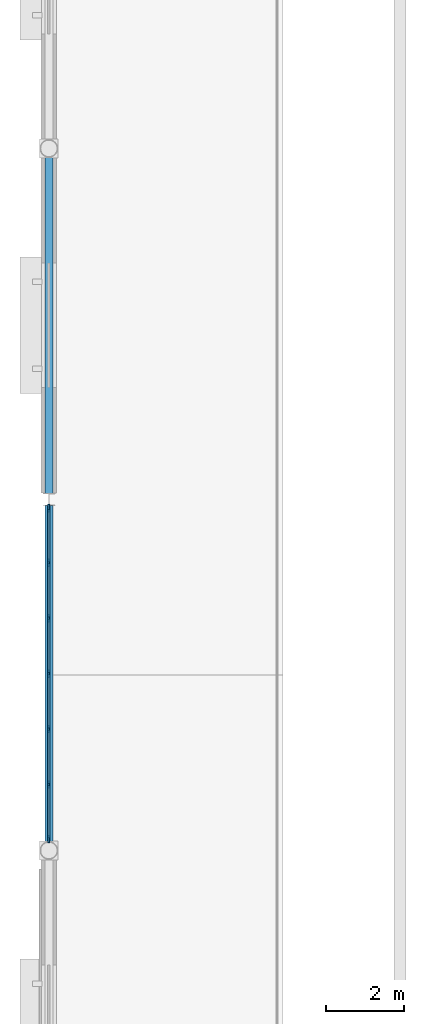
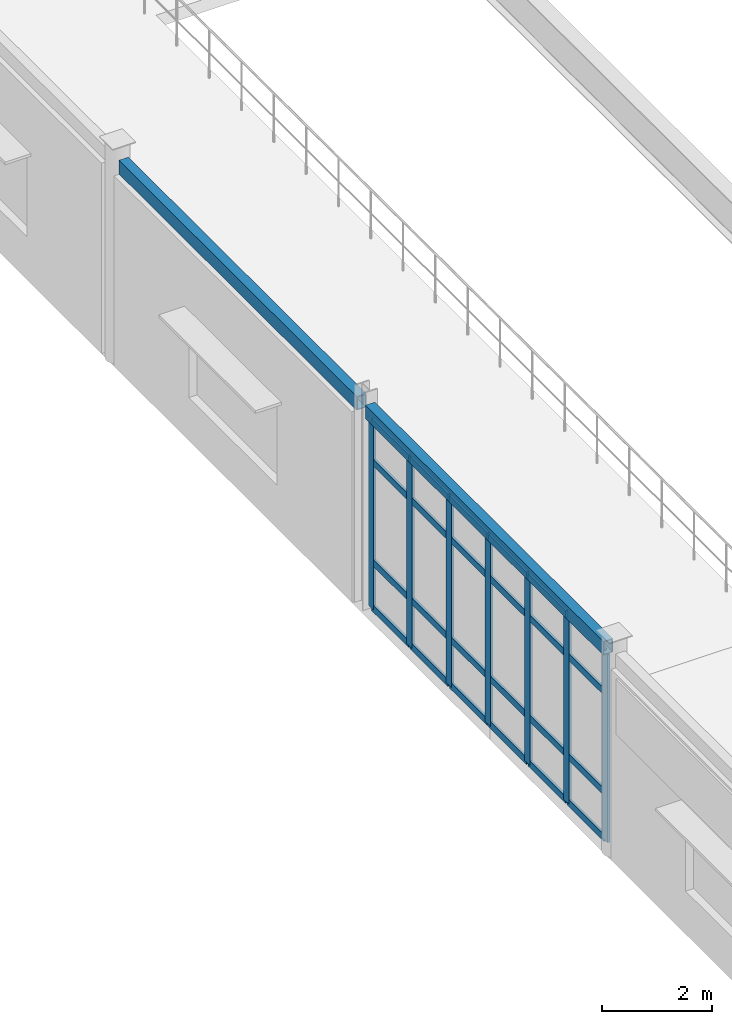
# One storey, part 38 of 86: 31 members, 2 beams, 1 element without a shape of its own.
"""IFC4 building model written with IfcOpenShell, lengths in metres."""

from ifc_helpers import new_model, si_unit, direction, frame, origin, origin_2d, place, context, subcontext, project, spatial, rectangle, hollow_rectangle, extrude, material, material_profile, profile_set, type_object, element, aggregate, save


model = new_model("IFC4")

# Units and contexts
model_context = context("Model", 3, precision=1e-05, world=origin(), true_north=direction((0.0, 1.0)))
body_context = subcontext(model_context, "Body", "Model", "MODEL_VIEW")
ifc_project = project(units=[si_unit("LENGTHUNIT", "METRE"), si_unit("AREAUNIT", "SQUARE_METRE"), si_unit("VOLUMEUNIT", "CUBIC_METRE"), si_unit("PLANEANGLEUNIT", "RADIAN"), si_unit("MASSUNIT", "GRAM", prefix="KILO")], contexts=[model_context])

# Site, building, storey
site_placement = place(None, origin())
site = spatial("IfcSite", under=ifc_project, at=site_placement, CompositionType="ELEMENT")
building_placement = place(site_placement, origin())
building = spatial("IfcBuilding", under=site, at=building_placement, Name="Glasvene Arena", CompositionType="ELEMENT")
storey_placement = place(building_placement, frame((0.0, 0.0, 5.39990234375)))
storey = spatial("IfcBuildingStorey", under=building, at=storey_placement, Name="L01", CompositionType="ELEMENT", Elevation=5.39990234375)

# Beams
ifc_material_1 = material(Name="Steel S355J2", Category="steel")
ifc_material_profile_1 = material_profile(ifc_material_1, hollow_rectangle(XDim=0.199951171875, YDim=0.300048828125, WallThickness=0.012451171875, at=origin_2d()), Name="RHS 300x200x12.5")
ifc_profile_set_1 = profile_set([ifc_material_profile_1], Name="Steel S355J2")
beam_type = type_object("IfcBeamType", Name="BM-SPAND-300", PredefinedType="SPANDREL", material=ifc_profile_set_1)
for number, where, z_axis, x_axis, name in (
    (1, (0.0, 82.223388671875, 4.3701171875), (0.0, 1.0, 0.0), (-1.0, 0.0, 0.0), "Primary Y girder L01-0605"),
    (2, (0.0, 91.1552734375, 4.3701171875), (0.0, 1.0, 0.0), (-1.0, 0.0, 0.0), "Primary Y girder L01-0606"),
):
    element("IfcBeam", number, at=place(storey_placement, frame(where, z_axis=z_axis, x_axis=x_axis)), inside=storey, type_object=beam_type, Name=name, PredefinedType="SPANDREL", context=body_context, shape_type="SweptSolid", body=[
        extrude(hollow_rectangle(XDim=0.199951171875, YDim=0.300048828125, WallThickness=0.012451171875, at=origin_2d()), origin(), (0.0, 0.0, 1.0), 8.621337890625),
    ])

# Curtain wall, members
ifc_material_2 = material(Name="Low-emissivity laminated double glazing", Category="glass")
curtain_wall_type = type_object("IfcCurtainWallType", Name="CW-FAC-L01-853x416", PredefinedType="USERDEFINED", material=ifc_material_2)
curtain_wall_placement = place(storey_placement, frame((0.0, 82.2705078125, 0.0)))
curtain_wall = element("IfcCurtainWall", 3, at=curtain_wall_placement, inside=storey, type_object=curtain_wall_type, Name="Unitised curtain wall CW-F-L01-180-0-865-76", ObjectType="CURTAIN WALL", PredefinedType="USERDEFINED")
ifc_material_3 = material(Name="Anodised architectural aluminium", Category="aluminium")
ifc_material_profile_2 = material_profile(ifc_material_3, rectangle(XDim=0.050048828125, YDim=0.199951171875, at=origin_2d()), Name="ALU MULLION 50x200")
ifc_profile_set_2 = profile_set([ifc_material_profile_2], Name="Anodised architectural aluminium")
member_type_1 = type_object("IfcMemberType", Name="CW-MUL-180", PredefinedType="MULLION", material=ifc_profile_set_2)
member_1_placement = place(storey_placement, frame((0.0, 82.29541015625, 0.06005859375), z_axis=(0.0, 0.0, 1.0), x_axis=(-1.0, 0.0, 0.0)))
member_1 = element("IfcMember", 4, at=member_1_placement, type_object=member_type_1, Name="CW-019 mullion 1", PredefinedType="MULLION", context=body_context, shape_type="SweptSolid", body=[
    extrude(rectangle(XDim=0.050048828125, YDim=0.199951171875, at=origin_2d()), origin(), (0.0, 0.0, 1.0), 4.155029296875),
])
member_2_placement = place(storey_placement, frame((0.0, 83.691650390625, 0.06005859375), z_axis=(0.0, 0.0, 1.0), x_axis=(-1.0, 0.0, 0.0)))
member_2 = element("IfcMember", 5, at=member_2_placement, type_object=member_type_1, Name="CW-019 mullion 2", PredefinedType="MULLION", context=body_context, shape_type="SweptSolid", body=[
    extrude(rectangle(XDim=0.050048828125, YDim=0.199951171875, at=origin_2d()), origin(), (0.0, 0.0, 1.0), 4.155029296875),
])
member_3_placement = place(storey_placement, frame((0.0, 85.11279296875, 0.06005859375), z_axis=(0.0, 0.0, 1.0), x_axis=(-1.0, 0.0, 0.0)))
member_3 = element("IfcMember", 6, at=member_3_placement, type_object=member_type_1, Name="CW-019 mullion 3", PredefinedType="MULLION", context=body_context, shape_type="SweptSolid", body=[
    extrude(rectangle(XDim=0.050048828125, YDim=0.199951171875, at=origin_2d()), origin(), (0.0, 0.0, 1.0), 4.155029296875),
])
member_4_placement = place(storey_placement, frame((0.0, 86.5341796875, 0.06005859375), z_axis=(0.0, 0.0, 1.0), x_axis=(-1.0, 0.0, 0.0)))
member_4 = element("IfcMember", 7, at=member_4_placement, type_object=member_type_1, Name="CW-019 mullion 4", PredefinedType="MULLION", context=body_context, shape_type="SweptSolid", body=[
    extrude(rectangle(XDim=0.050048828125, YDim=0.199951171875, at=origin_2d()), origin(), (0.0, 0.0, 1.0), 4.155029296875),
])
member_5_placement = place(storey_placement, frame((0.0, 87.955322265625, 0.06005859375), z_axis=(0.0, 0.0, 1.0), x_axis=(-1.0, 0.0, 0.0)))
member_5 = element("IfcMember", 8, at=member_5_placement, type_object=member_type_1, Name="CW-019 mullion 5", PredefinedType="MULLION", context=body_context, shape_type="SweptSolid", body=[
    extrude(rectangle(XDim=0.050048828125, YDim=0.199951171875, at=origin_2d()), origin(), (0.0, 0.0, 1.0), 4.155029296875),
])
member_6_placement = place(storey_placement, frame((0.0, 89.37646484375, 0.06005859375), z_axis=(0.0, 0.0, 1.0), x_axis=(-1.0, 0.0, 0.0)))
member_6 = element("IfcMember", 9, at=member_6_placement, type_object=member_type_1, Name="CW-019 mullion 6", PredefinedType="MULLION", context=body_context, shape_type="SweptSolid", body=[
    extrude(rectangle(XDim=0.050048828125, YDim=0.199951171875, at=origin_2d()), origin(), (0.0, 0.0, 1.0), 4.155029296875),
])
member_7_placement = place(storey_placement, frame((0.0, 90.772705078125, 0.06005859375), z_axis=(0.0, 0.0, 1.0), x_axis=(-1.0, 0.0, 0.0)))
member_7 = element("IfcMember", 10, at=member_7_placement, type_object=member_type_1, Name="CW-019 mullion 7", PredefinedType="MULLION", context=body_context, shape_type="SweptSolid", body=[
    extrude(rectangle(XDim=0.050048828125, YDim=0.199951171875, at=origin_2d()), origin(), (0.0, 0.0, 1.0), 4.155029296875),
])
ifc_material_profile_3 = material_profile(ifc_material_3, rectangle(XDim=0.050048828125, YDim=0.14990234375, at=origin_2d()), Name="ALU TRANSOM 50x150")
ifc_profile_set_3 = profile_set([ifc_material_profile_3], Name="Anodised architectural aluminium")
member_type_2 = type_object("IfcMemberType", Name="CW-TRN-150", PredefinedType="USERDEFINED", material=ifc_profile_set_3)
member_8_placement = place(storey_placement, frame((0.0, 82.320556640625, 0.085205078125), z_axis=(0.0, 1.0, 0.0), x_axis=(-1.0, 0.0, 0.0)))
member_8 = element("IfcMember", 11, at=member_8_placement, type_object=member_type_2, Name="CW-019 transom 1.1", ObjectType="TRANSOM", PredefinedType="USERDEFINED", context=body_context, shape_type="SweptSolid", body=[
    extrude(rectangle(XDim=0.050048828125, YDim=0.14990234375, at=origin_2d()), origin(), (0.0, 0.0, 1.0), 1.34619140625),
])
member_9_placement = place(storey_placement, frame((0.0, 82.320556640625, 1.10009765625), z_axis=(0.0, 1.0, 0.0), x_axis=(-1.0, 0.0, 0.0)))
member_9 = element("IfcMember", 12, at=member_9_placement, type_object=member_type_2, Name="CW-019 transom 1.2", ObjectType="TRANSOM", PredefinedType="USERDEFINED", context=body_context, shape_type="SweptSolid", body=[
    extrude(rectangle(XDim=0.050048828125, YDim=0.14990234375, at=origin_2d()), origin(), (0.0, 0.0, 1.0), 1.34619140625),
])
member_10_placement = place(storey_placement, frame((0.0, 82.320556640625, 3.315185546875), z_axis=(0.0, 1.0, 0.0), x_axis=(-1.0, 0.0, 0.0)))
member_10 = element("IfcMember", 13, at=member_10_placement, type_object=member_type_2, Name="CW-019 transom 1.3", ObjectType="TRANSOM", PredefinedType="USERDEFINED", context=body_context, shape_type="SweptSolid", body=[
    extrude(rectangle(XDim=0.050048828125, YDim=0.14990234375, at=origin_2d()), origin(), (0.0, 0.0, 1.0), 1.34619140625),
])
member_11_placement = place(storey_placement, frame((0.0, 82.320556640625, 4.190185546875), z_axis=(0.0, 1.0, 0.0), x_axis=(-1.0, 0.0, 0.0)))
member_11 = element("IfcMember", 14, at=member_11_placement, type_object=member_type_2, Name="CW-019 transom 1.4", ObjectType="TRANSOM", PredefinedType="USERDEFINED", context=body_context, shape_type="SweptSolid", body=[
    extrude(rectangle(XDim=0.050048828125, YDim=0.14990234375, at=origin_2d()), origin(), (0.0, 0.0, 1.0), 1.34619140625),
])
member_12_placement = place(storey_placement, frame((0.0, 83.716796875, 0.085205078125), z_axis=(0.0, 1.0, 0.0), x_axis=(-1.0, 0.0, 0.0)))
member_12 = element("IfcMember", 15, at=member_12_placement, type_object=member_type_2, Name="CW-019 transom 2.1", ObjectType="TRANSOM", PredefinedType="USERDEFINED", context=body_context, shape_type="SweptSolid", body=[
    extrude(rectangle(XDim=0.050048828125, YDim=0.14990234375, at=origin_2d()), origin(), (0.0, 0.0, 1.0), 1.37109375),
])
member_13_placement = place(storey_placement, frame((0.0, 83.716796875, 1.10009765625), z_axis=(0.0, 1.0, 0.0), x_axis=(-1.0, 0.0, 0.0)))
member_13 = element("IfcMember", 16, at=member_13_placement, type_object=member_type_2, Name="CW-019 transom 2.2", ObjectType="TRANSOM", PredefinedType="USERDEFINED", context=body_context, shape_type="SweptSolid", body=[
    extrude(rectangle(XDim=0.050048828125, YDim=0.14990234375, at=origin_2d()), origin(), (0.0, 0.0, 1.0), 1.37109375),
])
member_14_placement = place(storey_placement, frame((0.0, 83.716796875, 3.315185546875), z_axis=(0.0, 1.0, 0.0), x_axis=(-1.0, 0.0, 0.0)))
member_14 = element("IfcMember", 17, at=member_14_placement, type_object=member_type_2, Name="CW-019 transom 2.3", ObjectType="TRANSOM", PredefinedType="USERDEFINED", context=body_context, shape_type="SweptSolid", body=[
    extrude(rectangle(XDim=0.050048828125, YDim=0.14990234375, at=origin_2d()), origin(), (0.0, 0.0, 1.0), 1.37109375),
])
member_15_placement = place(storey_placement, frame((0.0, 83.716796875, 4.190185546875), z_axis=(0.0, 1.0, 0.0), x_axis=(-1.0, 0.0, 0.0)))
member_15 = element("IfcMember", 18, at=member_15_placement, type_object=member_type_2, Name="CW-019 transom 2.4", ObjectType="TRANSOM", PredefinedType="USERDEFINED", context=body_context, shape_type="SweptSolid", body=[
    extrude(rectangle(XDim=0.050048828125, YDim=0.14990234375, at=origin_2d()), origin(), (0.0, 0.0, 1.0), 1.37109375),
])
member_16_placement = place(storey_placement, frame((0.0, 85.137939453125, 0.085205078125), z_axis=(0.0, 1.0, 0.0), x_axis=(-1.0, 0.0, 0.0)))
member_16 = element("IfcMember", 19, at=member_16_placement, type_object=member_type_2, Name="CW-019 transom 3.1", ObjectType="TRANSOM", PredefinedType="USERDEFINED", context=body_context, shape_type="SweptSolid", body=[
    extrude(rectangle(XDim=0.050048828125, YDim=0.14990234375, at=origin_2d()), origin(), (0.0, 0.0, 1.0), 1.37109375),
])
member_17_placement = place(storey_placement, frame((0.0, 85.137939453125, 1.10009765625), z_axis=(0.0, 1.0, 0.0), x_axis=(-1.0, 0.0, 0.0)))
member_17 = element("IfcMember", 20, at=member_17_placement, type_object=member_type_2, Name="CW-019 transom 3.2", ObjectType="TRANSOM", PredefinedType="USERDEFINED", context=body_context, shape_type="SweptSolid", body=[
    extrude(rectangle(XDim=0.050048828125, YDim=0.14990234375, at=origin_2d()), origin(), (0.0, 0.0, 1.0), 1.37109375),
])
member_18_placement = place(storey_placement, frame((0.0, 85.137939453125, 3.315185546875), z_axis=(0.0, 1.0, 0.0), x_axis=(-1.0, 0.0, 0.0)))
member_18 = element("IfcMember", 21, at=member_18_placement, type_object=member_type_2, Name="CW-019 transom 3.3", ObjectType="TRANSOM", PredefinedType="USERDEFINED", context=body_context, shape_type="SweptSolid", body=[
    extrude(rectangle(XDim=0.050048828125, YDim=0.14990234375, at=origin_2d()), origin(), (0.0, 0.0, 1.0), 1.37109375),
])
member_19_placement = place(storey_placement, frame((0.0, 85.137939453125, 4.190185546875), z_axis=(0.0, 1.0, 0.0), x_axis=(-1.0, 0.0, 0.0)))
member_19 = element("IfcMember", 22, at=member_19_placement, type_object=member_type_2, Name="CW-019 transom 3.4", ObjectType="TRANSOM", PredefinedType="USERDEFINED", context=body_context, shape_type="SweptSolid", body=[
    extrude(rectangle(XDim=0.050048828125, YDim=0.14990234375, at=origin_2d()), origin(), (0.0, 0.0, 1.0), 1.37109375),
])
member_20_placement = place(storey_placement, frame((0.0, 86.55908203125, 0.085205078125), z_axis=(0.0, 1.0, 0.0), x_axis=(-1.0, 0.0, 0.0)))
member_20 = element("IfcMember", 23, at=member_20_placement, type_object=member_type_2, Name="CW-019 transom 4.1", ObjectType="TRANSOM", PredefinedType="USERDEFINED", context=body_context, shape_type="SweptSolid", body=[
    extrude(rectangle(XDim=0.050048828125, YDim=0.14990234375, at=origin_2d()), origin(), (0.0, 0.0, 1.0), 1.371337890625),
])
member_21_placement = place(storey_placement, frame((0.0, 86.55908203125, 1.10009765625), z_axis=(0.0, 1.0, 0.0), x_axis=(-1.0, 0.0, 0.0)))
member_21 = element("IfcMember", 24, at=member_21_placement, type_object=member_type_2, Name="CW-019 transom 4.2", ObjectType="TRANSOM", PredefinedType="USERDEFINED", context=body_context, shape_type="SweptSolid", body=[
    extrude(rectangle(XDim=0.050048828125, YDim=0.14990234375, at=origin_2d()), origin(), (0.0, 0.0, 1.0), 1.371337890625),
])
member_22_placement = place(storey_placement, frame((0.0, 86.55908203125, 3.315185546875), z_axis=(0.0, 1.0, 0.0), x_axis=(-1.0, 0.0, 0.0)))
member_22 = element("IfcMember", 25, at=member_22_placement, type_object=member_type_2, Name="CW-019 transom 4.3", ObjectType="TRANSOM", PredefinedType="USERDEFINED", context=body_context, shape_type="SweptSolid", body=[
    extrude(rectangle(XDim=0.050048828125, YDim=0.14990234375, at=origin_2d()), origin(), (0.0, 0.0, 1.0), 1.371337890625),
])
member_23_placement = place(storey_placement, frame((0.0, 86.55908203125, 4.190185546875), z_axis=(0.0, 1.0, 0.0), x_axis=(-1.0, 0.0, 0.0)))
member_23 = element("IfcMember", 26, at=member_23_placement, type_object=member_type_2, Name="CW-019 transom 4.4", ObjectType="TRANSOM", PredefinedType="USERDEFINED", context=body_context, shape_type="SweptSolid", body=[
    extrude(rectangle(XDim=0.050048828125, YDim=0.14990234375, at=origin_2d()), origin(), (0.0, 0.0, 1.0), 1.371337890625),
])
member_24_placement = place(storey_placement, frame((0.0, 87.980224609375, 0.085205078125), z_axis=(0.0, 1.0, 0.0), x_axis=(-1.0, 0.0, 0.0)))
member_24 = element("IfcMember", 27, at=member_24_placement, type_object=member_type_2, Name="CW-019 transom 5.1", ObjectType="TRANSOM", PredefinedType="USERDEFINED", context=body_context, shape_type="SweptSolid", body=[
    extrude(rectangle(XDim=0.050048828125, YDim=0.14990234375, at=origin_2d()), origin(), (0.0, 0.0, 1.0), 1.371337890625),
])
member_25_placement = place(storey_placement, frame((0.0, 87.980224609375, 1.10009765625), z_axis=(0.0, 1.0, 0.0), x_axis=(-1.0, 0.0, 0.0)))
member_25 = element("IfcMember", 28, at=member_25_placement, type_object=member_type_2, Name="CW-019 transom 5.2", ObjectType="TRANSOM", PredefinedType="USERDEFINED", context=body_context, shape_type="SweptSolid", body=[
    extrude(rectangle(XDim=0.050048828125, YDim=0.14990234375, at=origin_2d()), origin(), (0.0, 0.0, 1.0), 1.371337890625),
])
member_26_placement = place(storey_placement, frame((0.0, 87.980224609375, 3.315185546875), z_axis=(0.0, 1.0, 0.0), x_axis=(-1.0, 0.0, 0.0)))
member_26 = element("IfcMember", 29, at=member_26_placement, type_object=member_type_2, Name="CW-019 transom 5.3", ObjectType="TRANSOM", PredefinedType="USERDEFINED", context=body_context, shape_type="SweptSolid", body=[
    extrude(rectangle(XDim=0.050048828125, YDim=0.14990234375, at=origin_2d()), origin(), (0.0, 0.0, 1.0), 1.371337890625),
])
member_27_placement = place(storey_placement, frame((0.0, 87.980224609375, 4.190185546875), z_axis=(0.0, 1.0, 0.0), x_axis=(-1.0, 0.0, 0.0)))
member_27 = element("IfcMember", 30, at=member_27_placement, type_object=member_type_2, Name="CW-019 transom 5.4", ObjectType="TRANSOM", PredefinedType="USERDEFINED", context=body_context, shape_type="SweptSolid", body=[
    extrude(rectangle(XDim=0.050048828125, YDim=0.14990234375, at=origin_2d()), origin(), (0.0, 0.0, 1.0), 1.371337890625),
])
member_28_placement = place(storey_placement, frame((0.0, 89.401611328125, 0.085205078125), z_axis=(0.0, 1.0, 0.0), x_axis=(-1.0, 0.0, 0.0)))
member_28 = element("IfcMember", 31, at=member_28_placement, type_object=member_type_2, Name="CW-019 transom 6.1", ObjectType="TRANSOM", PredefinedType="USERDEFINED", context=body_context, shape_type="SweptSolid", body=[
    extrude(rectangle(XDim=0.050048828125, YDim=0.14990234375, at=origin_2d()), origin(), (0.0, 0.0, 1.0), 1.34619140625),
])
member_29_placement = place(storey_placement, frame((0.0, 89.401611328125, 1.10009765625), z_axis=(0.0, 1.0, 0.0), x_axis=(-1.0, 0.0, 0.0)))
member_29 = element("IfcMember", 32, at=member_29_placement, type_object=member_type_2, Name="CW-019 transom 6.2", ObjectType="TRANSOM", PredefinedType="USERDEFINED", context=body_context, shape_type="SweptSolid", body=[
    extrude(rectangle(XDim=0.050048828125, YDim=0.14990234375, at=origin_2d()), origin(), (0.0, 0.0, 1.0), 1.34619140625),
])
member_30_placement = place(storey_placement, frame((0.0, 89.401611328125, 3.315185546875), z_axis=(0.0, 1.0, 0.0), x_axis=(-1.0, 0.0, 0.0)))
member_30 = element("IfcMember", 33, at=member_30_placement, type_object=member_type_2, Name="CW-019 transom 6.3", ObjectType="TRANSOM", PredefinedType="USERDEFINED", context=body_context, shape_type="SweptSolid", body=[
    extrude(rectangle(XDim=0.050048828125, YDim=0.14990234375, at=origin_2d()), origin(), (0.0, 0.0, 1.0), 1.34619140625),
])
member_31_placement = place(storey_placement, frame((0.0, 89.401611328125, 4.190185546875), z_axis=(0.0, 1.0, 0.0), x_axis=(-1.0, 0.0, 0.0)))
member_31 = element("IfcMember", 34, at=member_31_placement, type_object=member_type_2, Name="CW-019 transom 6.4", ObjectType="TRANSOM", PredefinedType="USERDEFINED", context=body_context, shape_type="SweptSolid", body=[
    extrude(rectangle(XDim=0.050048828125, YDim=0.14990234375, at=origin_2d()), origin(), (0.0, 0.0, 1.0), 1.34619140625),
])
aggregate(curtain_wall, [member_1, member_2, member_3, member_4, member_5, member_6, member_7, member_8, member_9, member_10, member_11, member_12, member_13, member_14, member_15, member_16, member_17, member_18, member_19, member_20, member_21, member_22, member_23, member_24, member_25, member_26, member_27, member_28, member_29, member_30, member_31])

save(model, "model.ifc")
